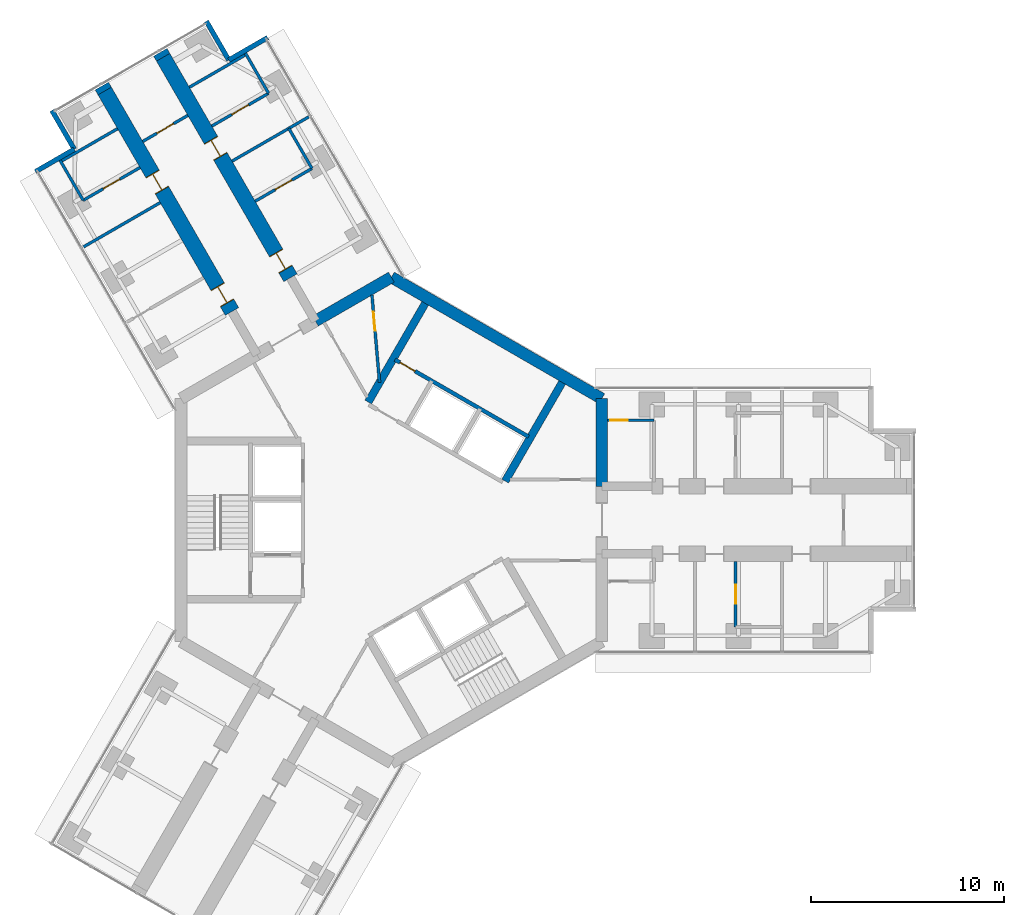
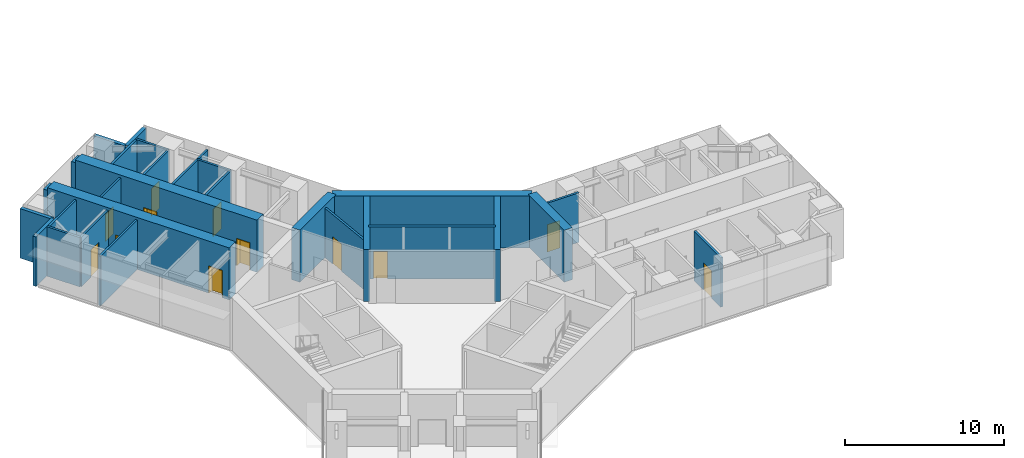
# One storey, part 17 of 22: 28 walls, 12 doors, 12 openings.
"""IFC4 building model written with IfcOpenShell, lengths in metres."""

import ifcopenshell
import ifcopenshell.guid

model = None  # the IFC model being written
_history = None  # IfcOwnerHistory: only IFC2X3 demands one
_inside = {}  # id of a spatial element -> (the spatial element, [elements in it])
_under = {}  # id of a project, library or spatial element -> (it, [spatial elements below it])
_declared = {}  # id of a project -> (the project, [libraries it declares])
_typed = {}  # id of a type object -> (the type object, [elements of that type])
_made_of = {}  # id of a material, layer set ... -> (it, [elements and type objects made of it])


def new_model(schema):
    """Start an empty IFC model of exactly this schema.

    Asked for "IFC4X3", IfcOpenShell would pick the latest addendum, in which some entities
    have other attributes; the version numbers below select the first issue.
    IFC2X3 requires an IfcOwnerHistory on every rooted entity: one is made here for all.
    """
    global model, _history
    if schema == "IFC4X3":
        model = ifcopenshell.file(schema_version=(4, 3, 0, 0))
    else:
        model = ifcopenshell.file(schema=schema)
    _inside.clear()
    _under.clear()
    _declared.clear()
    _typed.clear()
    _made_of.clear()
    _history = None
    if model.schema == "IFC2X3":
        org = make("IfcOrganization", Name="unknown")
        user = make(
            "IfcPersonAndOrganization",
            ThePerson=make("IfcPerson", FamilyName="unknown"),
            TheOrganization=org,
        )
        app = make(
            "IfcApplication",
            ApplicationDeveloper=org,
            Version="unknown",
            ApplicationFullName="unknown",
            ApplicationIdentifier="unknown",
        )
        _history = make(
            "IfcOwnerHistory",
            OwningUser=user,
            OwningApplication=app,
            ChangeAction="ADDED",
            CreationDate=0,
        )
    return model


def make(cls, **values):
    """One entity of the class cls with the attributes given. An attribute that is None is left unset."""
    return model.create_entity(
        cls, **{name: value for name, value in values.items() if value is not None}
    )


def rooted(cls, **values):
    """An entity with a GlobalId (a new one), such as an element, a storey or a relation."""
    return make(cls, GlobalId=ifcopenshell.guid.new(), OwnerHistory=_history, **values)


def si_unit(unit_type, name, prefix=None):
    """IfcSIUnit, for example si_unit("LENGTHUNIT", "METRE", prefix="MILLI")."""
    return make("IfcSIUnit", UnitType=unit_type, Prefix=prefix, Name=name)


def assignment(units):
    """IfcUnitAssignment: the units of a project."""
    return None if units is None else make("IfcUnitAssignment", Units=units)


def point(xyz):
    """IfcCartesianPoint."""
    return None if xyz is None else make("IfcCartesianPoint", Coordinates=xyz)


def direction(xyz):
    """IfcDirection."""
    return None if xyz is None else make("IfcDirection", DirectionRatios=xyz)


def frame(location, z_axis=None, x_axis=None):
    """IfcAxis2Placement3D, a coordinate frame: its origin and axes. An axis left out is left unset."""
    return make(
        "IfcAxis2Placement3D",
        Location=point(location),
        Axis=direction(z_axis),
        RefDirection=direction(x_axis),
    )


def frame_2d(location, x_axis=None):
    """IfcAxis2Placement2D, a coordinate frame in the plane: its origin and x axis."""
    return make(
        "IfcAxis2Placement2D", Location=point(location), RefDirection=direction(x_axis)
    )


def origin():
    """The frame at (0, 0, 0) with its axes left unset."""
    return frame((0.0, 0.0, 0.0))


def place(relative_to, where):
    """IfcLocalPlacement: puts the frame where relative to a parent placement (None: the world)."""
    return make(
        "IfcLocalPlacement", PlacementRelTo=relative_to, RelativePlacement=where
    )


def context(
    kind, dimensions, precision=None, world=None, true_north=None, identifier=None
):
    """IfcGeometricRepresentationContext, for example the 3D "Model" context."""
    return make(
        "IfcGeometricRepresentationContext",
        ContextIdentifier=identifier,
        ContextType=kind,
        CoordinateSpaceDimension=dimensions,
        Precision=precision,
        WorldCoordinateSystem=world,
        TrueNorth=true_north,
    )


def subcontext(parent, identifier, kind, view, scale=None):
    """IfcGeometricRepresentationSubContext, for example "Body" below "Model"."""
    return make(
        "IfcGeometricRepresentationSubContext",
        ContextIdentifier=identifier,
        ContextType=kind,
        ParentContext=parent,
        TargetScale=scale,
        TargetView=view,
    )


def project(units=None, contexts=None):
    """IfcProject with its units and contexts."""
    return rooted(
        "IfcProject",
        Name="project",
        RepresentationContexts=contexts,
        UnitsInContext=assignment(units),
    )


def spatial(cls, under=None, at=None, **own):
    """A site, building, storey or space (cls), placed at a placement, below another one or the project."""
    s = rooted(cls, ObjectPlacement=at, **own)
    if under is not None:
        _under.setdefault(under.id(), (under, []))[1].append(s)
    return s


def profile(cls, at=None, kind="AREA", **sizes):
    """A parametric profile (cls). Its sizes go by their IFC names, for example OverallWidth=200.0."""
    return make(cls, ProfileType=kind, Position=at, **sizes)


def rectangle(**sizes):
    """IfcRectangleProfileDef."""
    return profile("IfcRectangleProfileDef", **sizes)


def extrude(swept, where, along, depth):
    """IfcExtrudedAreaSolid: the profile swept, set in the frame where, extruded along a direction by depth."""
    return make(
        "IfcExtrudedAreaSolid",
        SweptArea=swept,
        Position=where,
        ExtrudedDirection=direction(along),
        Depth=depth,
    )


def shape(context_of_items, identifier, shape_type, items):
    """IfcShapeRepresentation: the items that make up one representation, for example the "Body"."""
    return make(
        "IfcShapeRepresentation",
        ContextOfItems=context_of_items,
        RepresentationIdentifier=identifier,
        RepresentationType=shape_type,
        Items=items,
    )


def material(Name=None, Category=None):
    """IfcMaterial."""
    return make("IfcMaterial", Name=Name, Category=Category)


def layer(
    of_material, thickness, ventilated=None, Name=None, Category=None, Priority=None
):
    """IfcMaterialLayer: one layer of a wall or slab, of a material (None: an air gap)."""
    return make(
        "IfcMaterialLayer",
        Material=of_material,
        LayerThickness=thickness,
        IsVentilated=ventilated,
        Name=Name,
        Category=Category,
        Priority=Priority,
    )


def layer_set(layers, Name=None):
    """IfcMaterialLayerSet."""
    return make("IfcMaterialLayerSet", MaterialLayers=layers, LayerSetName=Name)


def made_of(thing, what):
    """Note that an element or type object is made of a material, layer set ...; save() writes the relation."""
    if what is not None:
        _made_of.setdefault(what.id(), (what, []))[1].append(thing)
    return thing


def type_object(cls, material=None, **own):
    """A type object (cls), such as IfcWallType, which elements share."""
    return made_of(rooted(cls, **own), material)


def element(
    cls,
    number,
    at=None,
    inside=None,
    cuts=None,
    type_object=None,
    material=None,
    context=None,
    identifier="Body",
    shape_type=None,
    held_by="IfcProductDefinitionShape",
    body=None,
    shapes=None,
    **own,
):
    """One element of the class cls, such as IfcWall. Its Tag is "e" and its number.

    at: its placement. inside: the storey or other place that contains it. cuts: it is an
    opening in that element (IfcRelVoidsElement). A single representation is given by context,
    identifier, shape_type and body (its items); several are given by shapes. held_by: the class
    of the entity that holds the representations. save() writes the other relations.
    """
    e = rooted(cls, Tag="e%d" % number, ObjectPlacement=at, **own)
    if body is not None:
        shapes = [shape(context, identifier, shape_type, body)]
    if shapes is not None:
        e.Representation = make(held_by, Representations=shapes)
    if inside is not None:
        _inside.setdefault(inside.id(), (inside, []))[1].append(e)
    if cuts is not None:
        rooted(
            "IfcRelVoidsElement", RelatingBuildingElement=cuts, RelatedOpeningElement=e
        )
    if type_object is not None:
        _typed.setdefault(type_object.id(), (type_object, []))[1].append(e)
    return made_of(e, material)


def fill(opening, filler):
    """IfcRelFillsElement: the door or window that sits in an opening."""
    return rooted(
        "IfcRelFillsElement",
        RelatingOpeningElement=opening,
        RelatedBuildingElement=filler,
    )


def aggregate(whole, parts):
    """IfcRelAggregates: a whole, such as a stair, and the parts it consists of."""
    return rooted("IfcRelAggregates", RelatingObject=whole, RelatedObjects=parts)


def save(model, path):
    """Write the relations noted so far, then the file.

    IfcRelAggregates (storeys below a building ...), IfcRelContainedInSpatialStructure (elements
    in a storey), IfcRelDefinesByType, IfcRelAssociatesMaterial and IfcRelDeclares: one each for
    every whole, place, type object, material and project.
    """
    for whole, parts in _under.values():
        aggregate(whole, parts)
    for where, things in _inside.values():
        rooted(
            "IfcRelContainedInSpatialStructure",
            RelatedElements=things,
            RelatingStructure=where,
        )
    for kind, things in _typed.values():
        rooted("IfcRelDefinesByType", RelatedObjects=things, RelatingType=kind)
    for what, things in _made_of.values():
        rooted("IfcRelAssociatesMaterial", RelatedObjects=things, RelatingMaterial=what)
    for by, libraries in _declared.values():
        rooted("IfcRelDeclares", RelatingContext=by, RelatedDefinitions=libraries)
    model.write(path)


model = new_model("IFC4")

# Units and contexts
model_context = context("Model", 3, precision=1e-05, world=origin(), true_north=direction((0.0, 1.0)))
body_context = subcontext(model_context, "Body", "Model", "MODEL_VIEW")
ifc_project = project(units=[si_unit("LENGTHUNIT", "METRE"), si_unit("AREAUNIT", "SQUARE_METRE"), si_unit("VOLUMEUNIT", "CUBIC_METRE"), si_unit("PLANEANGLEUNIT", "RADIAN"), si_unit("MASSUNIT", "GRAM", prefix="KILO")], contexts=[model_context])

# Site, building, storey
site_placement = place(None, origin())
site = spatial("IfcSite", under=ifc_project, at=site_placement, CompositionType="ELEMENT")
building_placement = place(site_placement, origin())
building = spatial("IfcBuilding", under=site, at=building_placement, Name="Upepo Twin Towers", CompositionType="ELEMENT")
storey_placement = place(building_placement, frame((0.0, 0.0, 137.5)))
storey = spatial("IfcBuildingStorey", under=building, at=storey_placement, Name="L33", CompositionType="ELEMENT", Elevation=137.5)

# Walls
ifc_material_1 = material(Name="Dense concrete blockwork", Category="masonry")
ifc_layer_1 = layer(ifc_material_1, 0.800048828125)
ifc_layer_set_1 = layer_set([ifc_layer_1], Name="Buttress closer 800, blockwork with fire-stopping to the curtain wall")
wall_type_1 = type_object("IfcWallType", Name="Buttress closer 800, blockwork with fire-stopping to the curtain wall", PredefinedType="PARTITIONING", material=ifc_layer_set_1)
wall_1_placement = place(storey_placement, frame((-14.865478515625, 22.247802734375, 0.0), z_axis=(0.0, 0.0, 1.0), x_axis=(-0.500426713919, 0.865778900179, 0.0)))
element("IfcWall", 1, at=wall_1_placement, inside=storey, type_object=wall_type_1, Name="T1 L33 wing B buttress closer L", PredefinedType="PARTITIONING", context=body_context, shape_type="SweptSolid", body=[
    extrude(rectangle(XDim=0.300048828125, YDim=0.800048828125, at=frame_2d((0.14990234375, 0.0))), origin(), (0.0, 0.0, 1.0), 3.800048828125),
])
wall_2_placement = place(storey_placement, frame((-11.83447265625, 23.997802734375, 0.0), z_axis=(0.0, 0.0, 1.0), x_axis=(-0.499816412211, 0.866131372301, 0.0)))
element("IfcWall", 2, at=wall_2_placement, inside=storey, type_object=wall_type_1, Name="T1 L33 wing B buttress closer R", PredefinedType="PARTITIONING", context=body_context, shape_type="SweptSolid", body=[
    extrude(rectangle(XDim=0.2998046875, YDim=0.800048828125, at=frame_2d((0.14990234375, 0.0))), origin(), (0.0, 0.0, 1.0), 3.800048828125),
])

# Wall, openings, doors
ifc_material_2 = material(Name="Concrete C60/75", Category="concrete")
ifc_layer_2 = layer(ifc_material_2, 0.800048828125)
ifc_layer_set_2 = layer_set([ifc_layer_2], Name="Concrete C60/75")
wall_type_2 = type_object("IfcWallType", Name="Buttress wall 800 RC", PredefinedType="SHEAR", material=ifc_layer_set_2)
wall_3_placement = place(storey_placement, frame((-8.265625, 10.81640625, 0.0), z_axis=(0.0, 0.0, 1.0), x_axis=(-0.499996231654, 0.866027579429, 0.0)))
wall_3 = element("IfcWall", 3, at=wall_3_placement, inside=storey, type_object=wall_type_2, Name="T1 wing B buttress wall L part 2", PredefinedType="SHEAR", context=body_context, shape_type="SweptSolid", body=[
    extrude(rectangle(XDim=13.19970703125, YDim=0.800048828125, at=frame_2d((6.599853515625, 0.0))), origin(), (0.0, 0.0, 1.0), 4.0),
])
opening_1_placement = place(wall_3_placement, frame((0.5, 0.0, 0.0)))
opening_1 = element("IfcOpeningElement", 4, at=opening_1_placement, cuts=wall_3, Name="Opening D1", PredefinedType="OPENING", context=body_context, shape_type="SweptSolid", body=[
    extrude(rectangle(XDim=1.0, YDim=2.10009765625, at=frame_2d((0.5, 1.050048828125))), frame((0.0, 0.409912109375, 0.0), z_axis=(0.0, -1.0, 0.0), x_axis=(1.0, 0.0, 0.0)), (0.0, 0.0, 1.0), 0.820068359375),
])
opening_2_placement = place(wall_3_placement, frame((7.25, 0.0, 0.0)))
opening_2 = element("IfcOpeningElement", 5, at=opening_2_placement, cuts=wall_3, Name="Opening D1", PredefinedType="OPENING", context=body_context, shape_type="SweptSolid", body=[
    extrude(rectangle(XDim=1.0, YDim=2.10009765625, at=frame_2d((0.5, 1.050048828125))), frame((0.0, 0.409912109375, 0.0), z_axis=(0.0, -1.0, 0.0), x_axis=(1.0, 0.0, 0.0)), (0.0, 0.0, 1.0), 0.820068359375),
])
ifc_material_3 = material(Name="Timber doorset", Category="wood")
door_type_1 = type_object("IfcDoorType", Name="Room door 1000 FD30", OperationType="SINGLE_SWING_LEFT", PredefinedType="DOOR", material=ifc_material_3)
door_1_placement = place(opening_1_placement, origin())
door_1 = element("IfcDoor", 6, at=door_1_placement, inside=storey, type_object=door_type_1, Name="T1 L33 seminar room door", OperationType="SINGLE_SWING_LEFT", OverallHeight=2.10009765625, OverallWidth=1.0, PredefinedType="DOOR", context=body_context, shape_type="SweptSolid", body=[
    extrude(rectangle(XDim=0.92, YDim=2.06009765625, at=frame_2d((0.5, 1.030029296875))), frame((0.0, 0.02490234375, 0.0), z_axis=(0.0, -1.0, 0.0), x_axis=(1.0, 0.0, 0.0)), (0.0, 0.0, 1.0), 0.050048828125),
    extrude(rectangle(XDim=0.04, YDim=2.10009765625, at=frame_2d((0.02001953125, 1.050048828125))), frame((0.0, 0.39990234375, 0.0), z_axis=(0.0, -1.0, 0.0), x_axis=(1.0, 0.0, 0.0)), (0.0, 0.0, 1.0), 0.799560546875),
    extrude(rectangle(XDim=0.04, YDim=2.10009765625, at=frame_2d((0.97998046875, 1.050048828125))), frame((0.0, 0.39990234375, 0.0), z_axis=(0.0, -1.0, 0.0), x_axis=(1.0, 0.0, 0.0)), (0.0, 0.0, 1.0), 0.799560546875),
    extrude(rectangle(XDim=0.92, YDim=0.04, at=frame_2d((0.5, 2.080078125))), frame((0.0, 0.39990234375, 0.0), z_axis=(0.0, -1.0, 0.0), x_axis=(1.0, 0.0, 0.0)), (0.0, 0.0, 1.0), 0.799560546875),
])
fill(opening_1, door_1)
door_2_placement = place(opening_2_placement, origin())
door_2 = element("IfcDoor", 7, at=door_2_placement, inside=storey, type_object=door_type_1, Name="T1 L33 tutorial room door", OperationType="SINGLE_SWING_RIGHT", OverallHeight=2.10009765625, OverallWidth=1.0, PredefinedType="DOOR", context=body_context, shape_type="SweptSolid", body=[
    extrude(rectangle(XDim=0.92, YDim=2.06009765625, at=frame_2d((0.5, 1.030029296875))), frame((0.0, 0.02490234375, 0.0), z_axis=(0.0, -1.0, 0.0), x_axis=(1.0, 0.0, 0.0)), (0.0, 0.0, 1.0), 0.050048828125),
    extrude(rectangle(XDim=0.04, YDim=2.10009765625, at=frame_2d((0.02001953125, 1.050048828125))), frame((0.0, 0.39990234375, 0.0), z_axis=(0.0, -1.0, 0.0), x_axis=(1.0, 0.0, 0.0)), (0.0, 0.0, 1.0), 0.799560546875),
    extrude(rectangle(XDim=0.04, YDim=2.10009765625, at=frame_2d((0.97998046875, 1.050048828125))), frame((0.0, 0.39990234375, 0.0), z_axis=(0.0, -1.0, 0.0), x_axis=(1.0, 0.0, 0.0)), (0.0, 0.0, 1.0), 0.799560546875),
    extrude(rectangle(XDim=0.92, YDim=0.04, at=frame_2d((0.5, 2.080078125))), frame((0.0, 0.39990234375, 0.0), z_axis=(0.0, -1.0, 0.0), x_axis=(1.0, 0.0, 0.0)), (0.0, 0.0, 1.0), 0.799560546875),
])
fill(opening_2, door_2)

wall_4_placement = place(storey_placement, frame((-5.234375, 12.56640625, 0.0), z_axis=(0.0, 0.0, 1.0), x_axis=(-0.500010103361, 0.866019570528, 0.0)))
wall_4 = element("IfcWall", 8, at=wall_4_placement, inside=storey, type_object=wall_type_2, Name="T1 wing B buttress wall R part 2", PredefinedType="SHEAR", context=body_context, shape_type="SweptSolid", body=[
    extrude(rectangle(XDim=13.199951171875, YDim=0.800048828125, at=frame_2d((6.60009765625, 0.0))), origin(), (0.0, 0.0, 1.0), 4.0),
])
opening_3_placement = place(wall_4_placement, frame((0.5, 0.0, 0.0)))
opening_3 = element("IfcOpeningElement", 9, at=opening_3_placement, cuts=wall_4, Name="Opening D1", PredefinedType="OPENING", context=body_context, shape_type="SweptSolid", body=[
    extrude(rectangle(XDim=1.0, YDim=2.10009765625, at=frame_2d((0.5, 1.050048828125))), frame((0.0, 0.409912109375, 0.0), z_axis=(0.0, -1.0, 0.0), x_axis=(1.0, 0.0, 0.0)), (0.0, 0.0, 1.0), 0.820068359375),
])
opening_4_placement = place(wall_4_placement, frame((7.25, 0.0, 0.0)))
opening_4 = element("IfcOpeningElement", 10, at=opening_4_placement, cuts=wall_4, Name="Opening D1", PredefinedType="OPENING", context=body_context, shape_type="SweptSolid", body=[
    extrude(rectangle(XDim=1.0, YDim=2.10009765625, at=frame_2d((0.5, 1.050048828125))), frame((0.0, 0.409912109375, 0.0), z_axis=(0.0, -1.0, 0.0), x_axis=(1.0, 0.0, 0.0)), (0.0, 0.0, 1.0), 0.820068359375),
])
door_3_placement = place(opening_3_placement, origin())
door_3 = element("IfcDoor", 11, at=door_3_placement, inside=storey, type_object=door_type_1, Name="T1 L33 research laboratory door", OperationType="SINGLE_SWING_LEFT", OverallHeight=2.10009765625, OverallWidth=1.0, PredefinedType="DOOR", context=body_context, shape_type="SweptSolid", body=[
    extrude(rectangle(XDim=0.92, YDim=2.06009765625, at=frame_2d((0.5, 1.030029296875))), frame((0.0, 0.02490234375, 0.0), z_axis=(0.0, -1.0, 0.0), x_axis=(1.0, 0.0, 0.0)), (0.0, 0.0, 1.0), 0.050048828125),
    extrude(rectangle(XDim=0.04, YDim=2.10009765625, at=frame_2d((0.02001953125, 1.050048828125))), frame((0.0, 0.39990234375, 0.0), z_axis=(0.0, -1.0, 0.0), x_axis=(1.0, 0.0, 0.0)), (0.0, 0.0, 1.0), 0.799560546875),
    extrude(rectangle(XDim=0.04, YDim=2.10009765625, at=frame_2d((0.97998046875, 1.050048828125))), frame((0.0, 0.39990234375, 0.0), z_axis=(0.0, -1.0, 0.0), x_axis=(1.0, 0.0, 0.0)), (0.0, 0.0, 1.0), 0.799560546875),
    extrude(rectangle(XDim=0.92, YDim=0.04, at=frame_2d((0.5, 2.080078125))), frame((0.0, 0.39990234375, 0.0), z_axis=(0.0, -1.0, 0.0), x_axis=(1.0, 0.0, 0.0)), (0.0, 0.0, 1.0), 0.799560546875),
])
fill(opening_3, door_3)
door_4_placement = place(opening_4_placement, origin())
door_4 = element("IfcDoor", 12, at=door_4_placement, inside=storey, type_object=door_type_1, Name="T1 L33 computing laboratory door", OperationType="SINGLE_SWING_RIGHT", OverallHeight=2.10009765625, OverallWidth=1.0, PredefinedType="DOOR", context=body_context, shape_type="SweptSolid", body=[
    extrude(rectangle(XDim=0.92, YDim=2.06009765625, at=frame_2d((0.5, 1.030029296875))), frame((0.0, 0.02490234375, 0.0), z_axis=(0.0, -1.0, 0.0), x_axis=(1.0, 0.0, 0.0)), (0.0, 0.0, 1.0), 0.050048828125),
    extrude(rectangle(XDim=0.04, YDim=2.10009765625, at=frame_2d((0.02001953125, 1.050048828125))), frame((0.0, 0.39990234375, 0.0), z_axis=(0.0, -1.0, 0.0), x_axis=(1.0, 0.0, 0.0)), (0.0, 0.0, 1.0), 0.799560546875),
    extrude(rectangle(XDim=0.04, YDim=2.10009765625, at=frame_2d((0.97998046875, 1.050048828125))), frame((0.0, 0.39990234375, 0.0), z_axis=(0.0, -1.0, 0.0), x_axis=(1.0, 0.0, 0.0)), (0.0, 0.0, 1.0), 0.799560546875),
    extrude(rectangle(XDim=0.92, YDim=0.04, at=frame_2d((0.5, 2.080078125))), frame((0.0, 0.39990234375, 0.0), z_axis=(0.0, -1.0, 0.0), x_axis=(1.0, 0.0, 0.0)), (0.0, 0.0, 1.0), 0.799560546875),
])
fill(opening_4, door_4)

# Walls
ifc_material_4 = material(Name="Concrete C60/75", Category="concrete")
ifc_layer_3 = layer(ifc_material_4, 0.60009765625)
ifc_layer_set_3 = layer_set([ifc_layer_3], Name="Concrete C60/75")
wall_type_3 = type_object("IfcWallType", Name="Core wall 600 RC", PredefinedType="SHEAR", material=ifc_layer_set_3)
wall_5_placement = place(storey_placement, frame((10.908447265625, 1.75, 0.0), z_axis=(0.0, 0.0, 1.0), x_axis=(0.0, 1.0, 0.0)))
element("IfcWall", 13, at=wall_5_placement, inside=storey, type_object=wall_type_3, Name="T1 core wall 000 L", PredefinedType="SHEAR", context=body_context, shape_type="SweptSolid", body=[
    extrude(rectangle(XDim=4.5478515625, YDim=0.60009765625, at=frame_2d((2.27392578125, 0.0))), origin(), (0.0, 0.0, 1.0), 4.0),
])
wall_6_placement = place(storey_placement, frame((10.908447265625, 6.2978515625, 0.0), z_axis=(0.0, 0.0, 1.0), x_axis=(-0.866021940709, 0.500005998175, 0.0)))
element("IfcWall", 14, at=wall_6_placement, inside=storey, type_object=wall_type_3, Name="T1 core wall 060", PredefinedType="SHEAR", context=body_context, shape_type="SweptSolid", body=[
    extrude(rectangle(XDim=12.595947265625, YDim=0.60009765625, at=frame_2d((6.2978515625, 0.0))), origin(), (0.0, 0.0, 1.0), 4.0),
])
wall_7_placement = place(storey_placement, frame((0.0, 12.595947265625, 0.0), z_axis=(0.0, 0.0, 1.0), x_axis=(-0.866011268655, -0.500024481964, 0.0)))
element("IfcWall", 15, at=wall_7_placement, inside=storey, type_object=wall_type_3, Name="T1 core wall 120 R", PredefinedType="SHEAR", context=body_context, shape_type="SweptSolid", body=[
    extrude(rectangle(XDim=4.548095703125, YDim=0.60009765625, at=frame_2d((2.27392578125, 0.0))), origin(), (0.0, 0.0, 1.0), 4.0),
])
ifc_material_5 = material(Name="Blockwork with anodised aluminium cladding", Category="masonry")
ifc_layer_4 = layer(ifc_material_5, 0.25)
ifc_layer_set_4 = layer_set([ifc_layer_4], Name="Notch cladding wall 250, pale metal")
wall_type_4 = type_object("IfcWallType", Name="Notch cladding wall 250, pale metal", PredefinedType="STANDARD", material=ifc_layer_set_4)
for number, where, z_axis, x_axis, name in (
    (16, (-18.456298828125, 18.0673828125, 0.0), (0.0, 0.0, 1.0), (0.865998469481, 0.500046648681, 0.0), "T1 L33 wing B notch wall L1"),
    (17, (-16.44287109375, 19.22998046875, 0.0), (0.0, 0.0, 1.0), (-0.500046648681, 0.865998469481, 0.0), "T1 L33 wing B notch wall L2"),
    (18, (-6.418701171875, 25.017333984375, 0.0), (0.0, 0.0, 1.0), (-0.866043940782, -0.499967891604, 0.0), "T1 L33 wing B notch wall R1"),
    (19, (-8.43212890625, 23.85498046875, 0.0), (0.0, 0.0, 1.0), (-0.500046648681, 0.865998469481, 0.0), "T1 L33 wing B notch wall R2"),
):
    element("IfcWall", number, at=place(storey_placement, frame(where, z_axis=z_axis, x_axis=x_axis)), inside=storey, type_object=wall_type_4, Name=name, PredefinedType="STANDARD", context=body_context, shape_type="SweptSolid", body=[
        extrude(rectangle(XDim=2.324951171875, YDim=0.25, at=frame_2d((1.16259765625, 0.0))), origin(), (0.0, 0.0, 1.0), 3.800048828125),
    ])

# Wall, opening, door
ifc_material_6 = material(Name="Concrete C40/50", Category="concrete")
ifc_layer_5 = layer(ifc_material_6, 0.199951171875)
ifc_layer_set_5 = layer_set([ifc_layer_5], Name="Concrete C40/50")
wall_type_5 = type_object("IfcWallType", Name="Shaft wall 200 RC", PredefinedType="SHEAR", material=ifc_layer_set_5)
wall_8_placement = place(storey_placement, frame((7.114013671875, 4.322021484375, 0.0), z_axis=(0.0, 0.0, 1.0), x_axis=(-0.866026010844, 0.49999894854, 0.0)))
wall_8 = element("IfcWall", 20, at=wall_8_placement, inside=storey, type_object=wall_type_5, Name="T1 core W60 stair wall", PredefinedType="SHEAR", context=body_context, shape_type="SweptSolid", body=[
    extrude(rectangle(XDim=8.0, YDim=0.199951171875, at=frame_2d((4.0, 0.0))), origin(), (0.0, 0.0, 1.0), 4.0),
])
opening_5_placement = place(wall_8_placement, frame((6.800048828125, 0.0, 0.0)))
opening_5 = element("IfcOpeningElement", 21, at=opening_5_placement, cuts=wall_8, Name="Opening D9", PredefinedType="OPENING", context=body_context, shape_type="SweptSolid", body=[
    extrude(rectangle(XDim=0.89990234375, YDim=2.10009765625, at=frame_2d((0.449951171875, 1.050048828125))), frame((0.0, 0.10986328125, 0.0), z_axis=(0.0, -1.0, 0.0), x_axis=(1.0, 0.0, 0.0)), (0.0, 0.0, 1.0), 0.219970703125),
])
ifc_material_7 = material(Name="Timber doorset", Category="wood")
door_type_2 = type_object("IfcDoorType", Name="Riser door 900 FD60", OperationType="SINGLE_SWING_LEFT", PredefinedType="DOOR", material=ifc_material_7)
door_5_placement = place(opening_5_placement, origin())
door_5 = element("IfcDoor", 22, at=door_5_placement, inside=storey, type_object=door_type_2, Name="T1 L33 riser door", OperationType="SINGLE_SWING_RIGHT", OverallHeight=2.10009765625, OverallWidth=0.89990234375, PredefinedType="DOOR", context=body_context, shape_type="SweptSolid", body=[
    extrude(rectangle(XDim=0.89990234375, YDim=2.10009765625, at=frame_2d((0.449951171875, 1.050048828125))), frame((0.0, 0.02490234375, 0.0), z_axis=(0.0, -1.0, 0.0), x_axis=(1.0, 0.0, 0.0)), (0.0, 0.0, 1.0), 0.050048828125),
])
fill(opening_5, door_5)

# Walls
ifc_material_8 = material(Name="Concrete C40/50", Category="concrete")
ifc_layer_6 = layer(ifc_material_8, 0.39990234375)
ifc_layer_set_6 = layer_set([ifc_layer_6], Name="Concrete C40/50")
wall_type_6 = type_object("IfcWallType", Name="Shaft wall 400 RC", PredefinedType="SHEAR", material=ifc_layer_set_6)
wall_9_placement = place(storey_placement, frame((-1.20068359375, 6.120361328125, 0.0), z_axis=(0.0, 0.0, 1.0), x_axis=(0.49999668571, 0.866027317282, 0.0)))
element("IfcWall", 23, at=wall_9_placement, inside=storey, type_object=wall_type_6, Name="T1 core W60 side wall N", PredefinedType="SHEAR", context=body_context, shape_type="SweptSolid", body=[
    extrude(rectangle(XDim=5.908203125, YDim=0.39990234375, at=frame_2d((2.9541015625, 0.0))), origin(), (0.0, 0.0, 1.0), 4.0),
])
wall_10_placement = place(storey_placement, frame((5.900634765625, 2.020263671875, 0.0), z_axis=(0.0, 0.0, 1.0), x_axis=(0.500027676417, 0.866009424208, 0.0)))
element("IfcWall", 24, at=wall_10_placement, inside=storey, type_object=wall_type_6, Name="T1 core W60 side wall S", PredefinedType="SHEAR", context=body_context, shape_type="SweptSolid", body=[
    extrude(rectangle(XDim=5.908447265625, YDim=0.39990234375, at=frame_2d((2.9541015625, 0.0))), origin(), (0.0, 0.0, 1.0), 4.0),
])

# Wall, opening, door
ifc_material_9 = material(Name="Gypsum board on steel studs", Category="steel")
ifc_layer_7 = layer(ifc_material_9, 0.14990234375)
ifc_layer_set_7 = layer_set([ifc_layer_7], Name="Teaching partition 150 acoustic")
wall_type_7 = type_object("IfcWallType", Name="Teaching partition 150 acoustic", PredefinedType="PARTITIONING", material=ifc_layer_set_7)
wall_11_placement = place(storey_placement, frame((11.2080078125, 5.175048828125, 0.0), z_axis=(0.0, 0.0, 1.0), x_axis=(1.0, 0.0, 0.0)))
wall_11 = element("IfcWall", 25, at=wall_11_placement, inside=storey, type_object=wall_type_7, Name="T1 WC bay partition AL at 11.21", PredefinedType="PARTITIONING", context=body_context, shape_type="SweptSolid", body=[
    extrude(rectangle(XDim=2.39990234375, YDim=0.14990234375, at=frame_2d((1.199951171875, 0.0))), origin(), (0.0, 0.0, 1.0), 3.800048828125),
])
opening_6_placement = place(wall_11_placement, frame((0.14990234375, 0.0, 0.0)))
opening_6 = element("IfcOpeningElement", 26, at=opening_6_placement, cuts=wall_11, Name="Opening D14", PredefinedType="OPENING", context=body_context, shape_type="SweptSolid", body=[
    extrude(rectangle(XDim=0.89990234375, YDim=2.10009765625, at=frame_2d((0.449951171875, 1.050048828125))), frame((0.0, 0.0849609375, 0.0), z_axis=(0.0, -1.0, 0.0), x_axis=(1.0, 0.0, 0.0)), (0.0, 0.0, 1.0), 0.169921875),
])
ifc_material_10 = material(Name="Timber doorset", Category="wood")
door_type_3 = type_object("IfcDoorType", Name="Office door 900 FD30", OperationType="SINGLE_SWING_LEFT", PredefinedType="DOOR", material=ifc_material_10)
door_6_placement = place(opening_6_placement, origin())
door_6 = element("IfcDoor", 27, at=door_6_placement, inside=storey, type_object=door_type_3, Name="T1 L33 WC bay inner room door", OperationType="SINGLE_SWING_LEFT", OverallHeight=2.10009765625, OverallWidth=0.89990234375, PredefinedType="DOOR", context=body_context, shape_type="SweptSolid", body=[
    extrude(rectangle(XDim=0.89990234375, YDim=2.10009765625, at=frame_2d((0.449951171875, 1.050048828125))), frame((0.0, 0.02490234375, 0.0), z_axis=(0.0, -1.0, 0.0), x_axis=(1.0, 0.0, 0.0)), (0.0, 0.0, 1.0), 0.050048828125),
])
fill(opening_6, door_6)

wall_12_placement = place(storey_placement, frame((17.85009765625, -2.14990234375, 0.0), z_axis=(0.0, 0.0, 1.0), x_axis=(0.0, -1.0, 0.0)))
wall_12 = element("IfcWall", 28, at=wall_12_placement, inside=storey, type_object=wall_type_7, Name="T1 inner room partition AR end at 17.85", PredefinedType="PARTITIONING", context=body_context, shape_type="SweptSolid", body=[
    extrude(rectangle(XDim=3.400146484375, YDim=0.14990234375, at=frame_2d((1.7001953125, 0.0))), origin(), (0.0, 0.0, 1.0), 3.800048828125),
])
opening_7_placement = place(wall_12_placement, frame((1.199951171875, 0.0, 0.0)))
opening_7 = element("IfcOpeningElement", 29, at=opening_7_placement, cuts=wall_12, Name="Opening D1", PredefinedType="OPENING", context=body_context, shape_type="SweptSolid", body=[
    extrude(rectangle(XDim=1.0, YDim=2.10009765625, at=frame_2d((0.5, 1.050048828125))), frame((0.0, 0.0849609375, 0.0), z_axis=(0.0, -1.0, 0.0), x_axis=(1.0, 0.0, 0.0)), (0.0, 0.0, 1.0), 0.169921875),
])
door_7_placement = place(opening_7_placement, origin())
door_7 = element("IfcDoor", 30, at=door_7_placement, inside=storey, type_object=door_type_1, Name="T1 L33 inner room door", OperationType="SINGLE_SWING_LEFT", OverallHeight=2.10009765625, OverallWidth=1.0, PredefinedType="DOOR", context=body_context, shape_type="SweptSolid", body=[
    extrude(rectangle(XDim=1.0, YDim=2.10009765625, at=frame_2d((0.5, 1.050048828125))), frame((0.0, 0.02490234375, 0.0), z_axis=(0.0, -1.0, 0.0), x_axis=(1.0, 0.0, 0.0)), (0.0, 0.0, 1.0), 0.050048828125),
])
fill(opening_7, door_7)

# Walls
wall_13_placement = place(storey_placement, frame((-11.987060546875, 16.4619140625, 0.0), z_axis=(0.0, 0.0, 1.0), x_axis=(-0.866039752405, -0.499975146636, 0.0)))
element("IfcWall", 31, at=wall_13_placement, inside=storey, type_object=wall_type_7, Name="T1 partition BL at 20.25", PredefinedType="PARTITIONING", context=body_context, shape_type="SweptSolid", body=[
    extrude(rectangle(XDim=4.599853515625, YDim=0.14990234375, at=frame_2d((2.2998046875, 0.0))), origin(), (0.0, 0.0, 1.0), 3.800048828125),
])
wall_14_placement = place(storey_placement, frame((-15.9814453125, 16.58056640625, 0.0), z_axis=(0.0, 0.0, 1.0), x_axis=(-0.499957262057, 0.866050077142, 0.0)))
element("IfcWall", 32, at=wall_14_placement, inside=storey, type_object=wall_type_7, Name="T1 inner room partition BL at 22.35", PredefinedType="PARTITIONING", context=body_context, shape_type="SweptSolid", body=[
    extrude(rectangle(XDim=2.400146484375, YDim=0.14990234375, at=frame_2d((1.2001953125, 0.0))), origin(), (0.0, 0.0, 1.0), 3.800048828125),
])

# Wall, opening, door
wall_15_placement = place(storey_placement, frame((-13.036865234375, 18.28076171875, 0.0), z_axis=(0.0, 0.0, 1.0), x_axis=(-0.866007419912, -0.500031147688, 0.0)))
wall_15 = element("IfcWall", 33, at=wall_15_placement, inside=storey, type_object=wall_type_7, Name="T1 inner room partition BL end at 22.35", PredefinedType="PARTITIONING", context=body_context, shape_type="SweptSolid", body=[
    extrude(rectangle(XDim=3.400146484375, YDim=0.14990234375, at=frame_2d((1.7001953125, 0.0))), origin(), (0.0, 0.0, 1.0), 3.800048828125),
])
opening_8_placement = place(wall_15_placement, frame((1.199951171875, 0.0, 0.0)))
opening_8 = element("IfcOpeningElement", 34, at=opening_8_placement, cuts=wall_15, Name="Opening D1", PredefinedType="OPENING", context=body_context, shape_type="SweptSolid", body=[
    extrude(rectangle(XDim=1.0, YDim=2.10009765625, at=frame_2d((0.5, 1.050048828125))), frame((0.0, 0.0849609375, 0.0), z_axis=(0.0, -1.0, 0.0), x_axis=(1.0, 0.0, 0.0)), (0.0, 0.0, 1.0), 0.169921875),
])
door_8_placement = place(opening_8_placement, origin())
door_8 = element("IfcDoor", 35, at=door_8_placement, inside=storey, type_object=door_type_1, Name="T1 L33 inner room door", OperationType="SINGLE_SWING_LEFT", OverallHeight=2.10009765625, OverallWidth=1.0, PredefinedType="DOOR", context=body_context, shape_type="SweptSolid", body=[
    extrude(rectangle(XDim=1.0, YDim=2.10009765625, at=frame_2d((0.5, 1.050048828125))), frame((0.0, 0.02490234375, 0.0), z_axis=(0.0, -1.0, 0.0), x_axis=(1.0, 0.0, 0.0)), (0.0, 0.0, 1.0), 0.050048828125),
])
fill(opening_8, door_8)

# Walls
wall_16_placement = place(storey_placement, frame((-14.199462890625, 20.294189453125, 0.0), z_axis=(0.0, 0.0, 1.0), x_axis=(-0.866038511948, -0.499977295307, 0.0)))
element("IfcWall", 36, at=wall_16_placement, inside=storey, type_object=wall_type_7, Name="T1 inner room partition BL end at 24.75", PredefinedType="PARTITIONING", context=body_context, shape_type="SweptSolid", body=[
    extrude(rectangle(XDim=3.400146484375, YDim=0.14990234375, at=frame_2d((1.7001953125, 0.0))), origin(), (0.0, 0.0, 1.0), 3.800048828125),
])
wall_17_placement = place(storey_placement, frame((-8.262939453125, 18.612060546875, 0.0), z_axis=(0.0, 0.0, 1.0), x_axis=(0.866016770315, 0.500014953309, 0.0)))
element("IfcWall", 37, at=wall_17_placement, inside=storey, type_object=wall_type_7, Name="T1 partition BR at 20.25", PredefinedType="PARTITIONING", context=body_context, shape_type="SweptSolid", body=[
    extrude(rectangle(XDim=4.599853515625, YDim=0.14990234375, at=frame_2d((2.2998046875, 0.0))), origin(), (0.0, 0.0, 1.0), 3.800048828125),
])
wall_18_placement = place(storey_placement, frame((-4.11865234375, 18.233642578125, 0.0), z_axis=(0.0, 0.0, 1.0), x_axis=(-0.500001309137, 0.866024647952, 0.0)))
element("IfcWall", 38, at=wall_18_placement, inside=storey, type_object=wall_type_7, Name="T1 inner room partition BR at 17.85", PredefinedType="PARTITIONING", context=body_context, shape_type="SweptSolid", body=[
    extrude(rectangle(XDim=2.39990234375, YDim=0.14990234375, at=frame_2d((1.199951171875, 0.0))), origin(), (0.0, 0.0, 1.0), 3.800048828125),
])

# Wall, opening, door
wall_19_placement = place(storey_placement, frame((-7.06298828125, 16.533447265625, 0.0), z_axis=(0.0, 0.0, 1.0), x_axis=(0.865989465428, 0.500062241894, 0.0)))
wall_19 = element("IfcWall", 39, at=wall_19_placement, inside=storey, type_object=wall_type_7, Name="T1 inner room partition BR end at 17.85", PredefinedType="PARTITIONING", context=body_context, shape_type="SweptSolid", body=[
    extrude(rectangle(XDim=3.39990234375, YDim=0.14990234375, at=frame_2d((1.699951171875, 0.0))), origin(), (0.0, 0.0, 1.0), 3.800048828125),
])
opening_9_placement = place(wall_19_placement, frame((1.199951171875, 0.0, 0.0)))
opening_9 = element("IfcOpeningElement", 40, at=opening_9_placement, cuts=wall_19, Name="Opening D1", PredefinedType="OPENING", context=body_context, shape_type="SweptSolid", body=[
    extrude(rectangle(XDim=1.0, YDim=2.10009765625, at=frame_2d((0.5, 1.050048828125))), frame((0.0, 0.0849609375, 0.0), z_axis=(0.0, -1.0, 0.0), x_axis=(1.0, 0.0, 0.0)), (0.0, 0.0, 1.0), 0.169921875),
])
door_9_placement = place(opening_9_placement, origin())
door_9 = element("IfcDoor", 41, at=door_9_placement, inside=storey, type_object=door_type_1, Name="T1 L33 inner room door", OperationType="SINGLE_SWING_LEFT", OverallHeight=2.10009765625, OverallWidth=1.0, PredefinedType="DOOR", context=body_context, shape_type="SweptSolid", body=[
    extrude(rectangle(XDim=1.0, YDim=2.10009765625, at=frame_2d((0.5, 1.050048828125))), frame((0.0, 0.02490234375, 0.0), z_axis=(0.0, -1.0, 0.0), x_axis=(1.0, 0.0, 0.0)), (0.0, 0.0, 1.0), 0.050048828125),
])
fill(opening_9, door_9)

# Wall
wall_20_placement = place(storey_placement, frame((-6.36865234375, 22.130615234375, 0.0), z_axis=(0.0, 0.0, 1.0), x_axis=(-0.499957262057, 0.866050077142, 0.0)))
element("IfcWall", 42, at=wall_20_placement, inside=storey, type_object=wall_type_7, Name="T1 inner room partition BR at 22.35", PredefinedType="PARTITIONING", context=body_context, shape_type="SweptSolid", body=[
    extrude(rectangle(XDim=2.400146484375, YDim=0.14990234375, at=frame_2d((1.2001953125, 0.0))), origin(), (0.0, 0.0, 1.0), 3.800048828125),
])

# Wall, opening, door
wall_21_placement = place(storey_placement, frame((-9.31298828125, 20.4306640625, 0.0), z_axis=(0.0, 0.0, 1.0), x_axis=(0.866020560687, 0.500008388397, 0.0)))
wall_21 = element("IfcWall", 43, at=wall_21_placement, inside=storey, type_object=wall_type_7, Name="T1 inner room partition BR end at 22.35", PredefinedType="PARTITIONING", context=body_context, shape_type="SweptSolid", body=[
    extrude(rectangle(XDim=3.39990234375, YDim=0.14990234375, at=frame_2d((1.699951171875, 0.0))), origin(), (0.0, 0.0, 1.0), 3.800048828125),
])
opening_10_placement = place(wall_21_placement, frame((1.199951171875, 0.0, 0.0)))
opening_10 = element("IfcOpeningElement", 44, at=opening_10_placement, cuts=wall_21, Name="Opening D1", PredefinedType="OPENING", context=body_context, shape_type="SweptSolid", body=[
    extrude(rectangle(XDim=1.0, YDim=2.10009765625, at=frame_2d((0.5, 1.050048828125))), frame((0.0, 0.0849609375, 0.0), z_axis=(0.0, -1.0, 0.0), x_axis=(1.0, 0.0, 0.0)), (0.0, 0.0, 1.0), 0.169921875),
])
door_10_placement = place(opening_10_placement, origin())
door_10 = element("IfcDoor", 45, at=door_10_placement, inside=storey, type_object=door_type_1, Name="T1 L33 inner room door", OperationType="SINGLE_SWING_LEFT", OverallHeight=2.10009765625, OverallWidth=1.0, PredefinedType="DOOR", context=body_context, shape_type="SweptSolid", body=[
    extrude(rectangle(XDim=1.0, YDim=2.10009765625, at=frame_2d((0.5, 1.050048828125))), frame((0.0, 0.02490234375, 0.0), z_axis=(0.0, -1.0, 0.0), x_axis=(1.0, 0.0, 0.0)), (0.0, 0.0, 1.0), 0.050048828125),
])
fill(opening_10, door_10)

# Wall
wall_22_placement = place(storey_placement, frame((-10.4755859375, 22.444091796875, 0.0), z_axis=(0.0, 0.0, 1.0), x_axis=(0.866007419912, 0.500031147688, 0.0)))
element("IfcWall", 46, at=wall_22_placement, inside=storey, type_object=wall_type_7, Name="T1 inner room partition BR end at 24.75", PredefinedType="PARTITIONING", context=body_context, shape_type="SweptSolid", body=[
    extrude(rectangle(XDim=3.400146484375, YDim=0.14990234375, at=frame_2d((1.7001953125, 0.0))), origin(), (0.0, 0.0, 1.0), 3.800048828125),
])

# Wall, opening, door
wall_23_placement = place(storey_placement, frame((-0.6162109375, 7.133056640625, 0.0), z_axis=(0.0, 0.0, 1.0), x_axis=(-0.086041653535, 0.996291540593, 0.0)))
wall_23 = element("IfcWall", 47, at=wall_23_placement, inside=storey, type_object=wall_type_7, Name="T1 core room partition 7", PredefinedType="PARTITIONING", context=body_context, shape_type="SweptSolid", body=[
    extrude(rectangle(XDim=4.55126953125, YDim=0.14990234375, at=frame_2d((2.275634765625, 0.0))), origin(), (0.0, 0.0, 1.0), 3.800048828125),
])
opening_11_placement = place(wall_23_placement, frame((2.68603515625, 0.0, 0.0)))
opening_11 = element("IfcOpeningElement", 48, at=opening_11_placement, cuts=wall_23, Name="Opening D1", PredefinedType="OPENING", context=body_context, shape_type="SweptSolid", body=[
    extrude(rectangle(XDim=1.0, YDim=2.10009765625, at=frame_2d((0.5, 1.050048828125))), frame((0.0, 0.0849609375, 0.0), z_axis=(0.0, -1.0, 0.0), x_axis=(1.0, 0.0, 0.0)), (0.0, 0.0, 1.0), 0.169921875),
])
door_11_placement = place(opening_11_placement, origin())
door_11 = element("IfcDoor", 49, at=door_11_placement, inside=storey, type_object=door_type_1, Name="T1 L33 core room door K6", OperationType="SINGLE_SWING_RIGHT", OverallHeight=2.10009765625, OverallWidth=1.0, PredefinedType="DOOR", context=body_context, shape_type="SweptSolid", body=[
    extrude(rectangle(XDim=1.0, YDim=2.10009765625, at=frame_2d((0.5, 1.050048828125))), frame((0.0, 0.02490234375, 0.0), z_axis=(0.0, -1.0, 0.0), x_axis=(1.0, 0.0, 0.0)), (0.0, 0.0, 1.0), 0.050048828125),
])
fill(opening_11, door_11)

wall_24_placement = place(storey_placement, frame((-10.555908203125, 20.9833984375, 0.0), z_axis=(0.0, 0.0, 1.0), x_axis=(-0.86599734893, -0.500048589285, 0.0)))
wall_24 = element("IfcWall", 50, at=wall_24_placement, inside=storey, type_object=wall_type_7, Name="T1 corridor end partition B at 23.45", PredefinedType="PARTITIONING", context=body_context, shape_type="SweptSolid", body=[
    extrude(rectangle(XDim=2.699951171875, YDim=0.14990234375, at=frame_2d((1.35009765625, 0.0))), origin(), (0.0, 0.0, 1.0), 3.800048828125),
])
opening_12_placement = place(wall_24_placement, frame((0.85009765625, 0.0, 0.0)))
opening_12 = element("IfcOpeningElement", 51, at=opening_12_placement, cuts=wall_24, Name="Opening D1", PredefinedType="OPENING", context=body_context, shape_type="SweptSolid", body=[
    extrude(rectangle(XDim=1.0, YDim=2.10009765625, at=frame_2d((0.5, 1.050048828125))), frame((0.0, 0.0849609375, 0.0), z_axis=(0.0, -1.0, 0.0), x_axis=(1.0, 0.0, 0.0)), (0.0, 0.0, 1.0), 0.169921875),
])
door_12_placement = place(opening_12_placement, origin())
door_12 = element("IfcDoor", 52, at=door_12_placement, inside=storey, type_object=door_type_1, Name="T1 L33 breakout study room door", OperationType="SINGLE_SWING_RIGHT", OverallHeight=2.10009765625, OverallWidth=1.0, PredefinedType="DOOR", context=body_context, shape_type="SweptSolid", body=[
    extrude(rectangle(XDim=1.0, YDim=2.10009765625, at=frame_2d((0.5, 1.050048828125))), frame((0.0, 0.02490234375, 0.0), z_axis=(0.0, -1.0, 0.0), x_axis=(1.0, 0.0, 0.0)), (0.0, 0.0, 1.0), 0.050048828125),
])
fill(opening_12, door_12)

save(model, "model.ifc")
